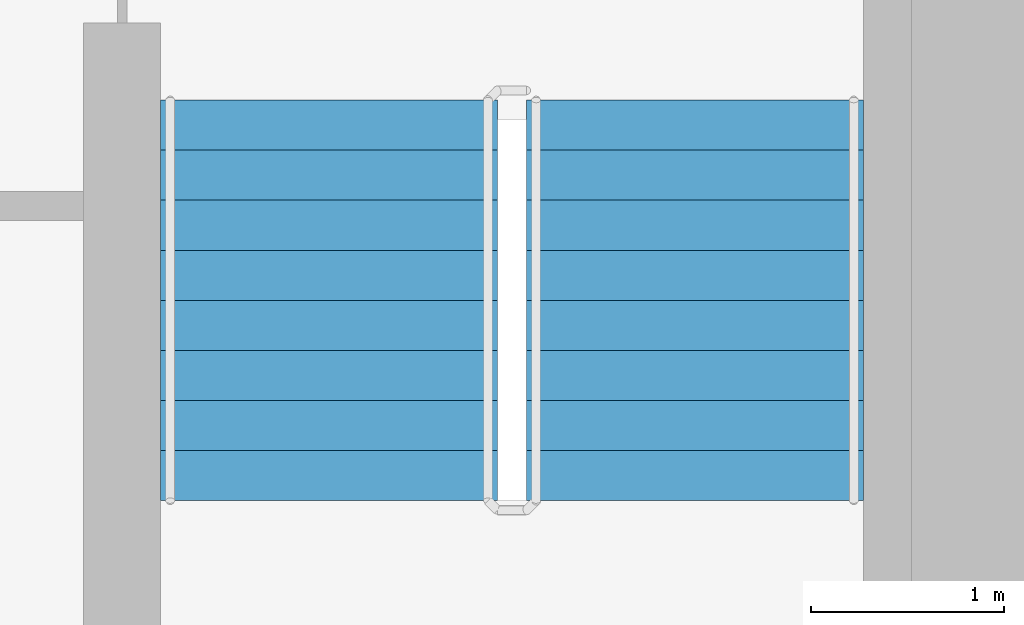
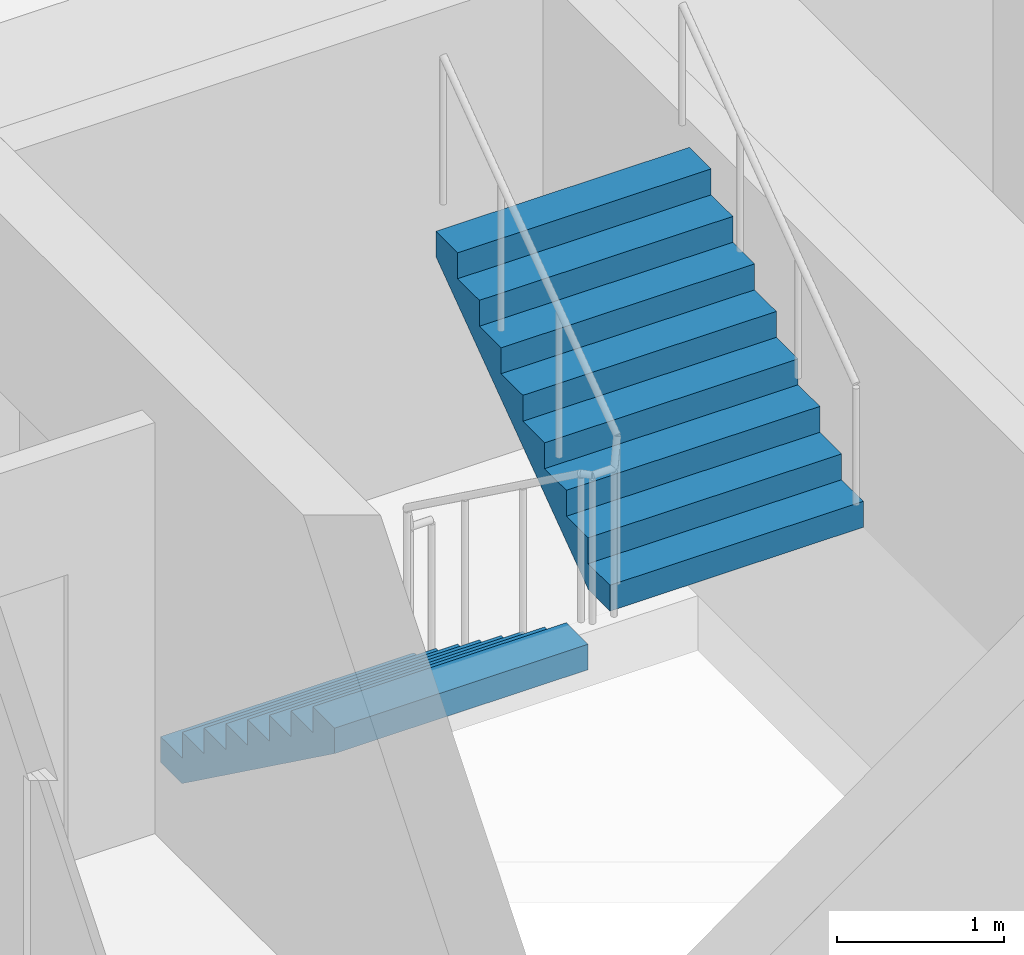
# One storey, part 18 of 21: 2 stair flights, 1 element without a shape of its own.
"""IFC4 building model written with IfcOpenShell, lengths in metres."""

from ifc_helpers import new_model, si_unit, direction, frame, origin, place, context, subcontext, project, spatial, faceted_brep, material, type_object, element, aggregate, save


model = new_model("IFC4")

# Units and contexts
model_context = context("Model", 3, precision=1e-05, world=origin(), true_north=direction((0.0, 1.0)))
body_context = subcontext(model_context, "Body", "Model", "MODEL_VIEW")
ifc_project = project(units=[si_unit("LENGTHUNIT", "METRE"), si_unit("AREAUNIT", "SQUARE_METRE"), si_unit("VOLUMEUNIT", "CUBIC_METRE"), si_unit("PLANEANGLEUNIT", "RADIAN"), si_unit("MASSUNIT", "GRAM", prefix="KILO")], contexts=[model_context])

# Site, building, storey
site_placement = place(None, origin())
site = spatial("IfcSite", under=ifc_project, at=site_placement, CompositionType="ELEMENT")
building_placement = place(site_placement, origin())
building = spatial("IfcBuilding", under=site, at=building_placement, Name="Ipe Terrace Towers", CompositionType="ELEMENT")
storey_placement = place(building_placement, frame((0.0, 0.0, 103.800048828125)))
storey = spatial("IfcBuildingStorey", under=building, at=storey_placement, Name="L28", CompositionType="ELEMENT", Elevation=103.800048828125)

# Stair, stair flights
ifc_material_1 = material(Name="Concrete C30/37", Category="concrete")
stair_type = type_object("IfcStairType", Name="Protected exit stair", PredefinedType="HALF_TURN_STAIR", material=ifc_material_1)
stair_placement = place(storey_placement, origin())
stair = element("IfcStair", 1, at=stair_placement, inside=storey, type_object=stair_type, Name="L28 Exit stair T2-C2", PredefinedType="HALF_TURN_STAIR")
ifc_material_2 = material(Name="Concrete C30/37", Category="concrete")
stair_flight_type = type_object("IfcStairFlightType", Name="Exit stair flight 1750", PredefinedType="STRAIGHT", material=ifc_material_2)
stair_flight_1_placement = place(storey_placement, frame((38.77490234375, -9.699951171875, 0.0), z_axis=(0.0, 0.0, 1.0), x_axis=(0.0, -1.0, 0.0)))
stair_flight_1 = element("IfcStairFlight", 2, at=stair_flight_1_placement, type_object=stair_flight_type, Name="T2-ST2 flight 1", NumberOfRisers=9, NumberOfTreads=8, PredefinedType="STRAIGHT", RiserHeight=0.188888889, TreadLength=0.26, context=body_context, shape_type="Brep", body=[
    faceted_brep([(0.255126953125, -0.875, 0.0), (2.080078125, -0.875, 1.325927734375), (2.080078125, -0.875, 1.51123046875), (1.820068359375, -0.875, 1.51123046875), (1.820068359375, -0.875, 1.322265625), (1.56005859375, -0.875, 1.322265625), (1.56005859375, -0.875, 1.13330078125), (1.300048828125, -0.875, 1.13330078125), (1.300048828125, -0.875, 0.9443359375), (1.0400390625, -0.875, 0.9443359375), (1.0400390625, -0.875, 0.755615234375), (0.780029296875, -0.875, 0.755615234375), (0.780029296875, -0.875, 0.566650390625), (0.52001953125, -0.875, 0.566650390625), (0.52001953125, -0.875, 0.377685546875), (0.260009765625, -0.875, 0.377685546875), (0.260009765625, -0.875, 0.18896484375), (0.0, -0.875, 0.18896484375), (0.0, -0.875, 0.0), (0.0, 0.875, 0.0), (0.0, 0.875, 0.18896484375), (0.260009765625, 0.875, 0.18896484375), (0.260009765625, 0.875, 0.377685546875), (0.52001953125, 0.875, 0.377685546875), (0.52001953125, 0.875, 0.566650390625), (0.780029296875, 0.875, 0.566650390625), (0.780029296875, 0.875, 0.755615234375), (1.0400390625, 0.875, 0.755615234375), (1.0400390625, 0.875, 0.9443359375), (1.300048828125, 0.875, 0.9443359375), (1.300048828125, 0.875, 1.13330078125), (1.56005859375, 0.875, 1.13330078125), (1.56005859375, 0.875, 1.322265625), (1.820068359375, 0.875, 1.322265625), (1.820068359375, 0.875, 1.51123046875), (2.080078125, 0.875, 1.51123046875), (2.080078125, 0.875, 1.325927734375), (0.255126953125, 0.875, 0.0), (0.0, -0.300048828125, 0.18896484375), (0.0, -0.1201171875, 0.18896484375), (0.0, -0.06005859375, 0.18896484375), (0.0, -0.030029296875, 0.18896484375), (0.0, -0.010009765625, 0.18896484375), (0.0, 0.0, 0.18896484375), (0.0, 0.010009765625, 0.18896484375), (0.0, 0.030029296875, 0.18896484375), (0.0, 0.06005859375, 0.18896484375), (0.0, 0.1201171875, 0.18896484375), (0.0, 0.300048828125, 0.18896484375), (0.0, 0.300048828125, 0.0), (0.0, 0.1201171875, 0.0), (0.0, 0.06005859375, 0.0), (0.0, 0.030029296875, 0.0), (0.0, 0.010009765625, 0.0), (0.0, 0.0, 0.0), (0.0, -0.010009765625, 0.0), (0.0, -0.030029296875, 0.0), (0.0, -0.06005859375, 0.0), (0.0, -0.1201171875, 0.0), (0.0, -0.300048828125, 0.0), (0.260009765625, -0.300048828125, 0.18896484375), (0.260009765625, -0.1201171875, 0.18896484375), (0.260009765625, -0.06005859375, 0.18896484375), (0.260009765625, -0.030029296875, 0.18896484375), (0.260009765625, -0.010009765625, 0.18896484375), (0.260009765625, 0.0, 0.18896484375), (0.260009765625, 0.010009765625, 0.18896484375), (0.260009765625, 0.030029296875, 0.18896484375), (0.260009765625, 0.06005859375, 0.18896484375), (0.260009765625, 0.1201171875, 0.18896484375), (0.260009765625, 0.300048828125, 0.18896484375), (0.260009765625, -0.300048828125, 0.377685546875), (0.260009765625, -0.1201171875, 0.377685546875), (0.260009765625, -0.06005859375, 0.377685546875), (0.260009765625, -0.030029296875, 0.377685546875), (0.260009765625, -0.010009765625, 0.377685546875), (0.260009765625, 0.0, 0.377685546875), (0.260009765625, 0.010009765625, 0.377685546875), (0.260009765625, 0.030029296875, 0.377685546875), (0.260009765625, 0.06005859375, 0.377685546875), (0.260009765625, 0.1201171875, 0.377685546875), (0.260009765625, 0.300048828125, 0.377685546875), (0.52001953125, -0.300048828125, 0.377685546875), (0.52001953125, -0.1201171875, 0.377685546875), (0.52001953125, -0.06005859375, 0.377685546875), (0.52001953125, -0.030029296875, 0.377685546875), (0.52001953125, -0.010009765625, 0.377685546875), (0.52001953125, 0.0, 0.377685546875), (0.52001953125, 0.010009765625, 0.377685546875), (0.52001953125, 0.030029296875, 0.377685546875), (0.52001953125, 0.06005859375, 0.377685546875), (0.52001953125, 0.1201171875, 0.377685546875), (0.52001953125, 0.300048828125, 0.377685546875), (0.52001953125, -0.300048828125, 0.566650390625), (0.52001953125, -0.1201171875, 0.566650390625), (0.52001953125, -0.06005859375, 0.566650390625), (0.52001953125, -0.030029296875, 0.566650390625), (0.52001953125, -0.010009765625, 0.566650390625), (0.52001953125, 0.0, 0.566650390625), (0.52001953125, 0.010009765625, 0.566650390625), (0.52001953125, 0.030029296875, 0.566650390625), (0.52001953125, 0.06005859375, 0.566650390625), (0.52001953125, 0.1201171875, 0.566650390625), (0.52001953125, 0.300048828125, 0.566650390625), (0.780029296875, -0.300048828125, 0.566650390625), (0.780029296875, -0.1201171875, 0.566650390625), (0.780029296875, -0.06005859375, 0.566650390625), (0.780029296875, -0.030029296875, 0.566650390625), (0.780029296875, -0.010009765625, 0.566650390625), (0.780029296875, 0.0, 0.566650390625), (0.780029296875, 0.010009765625, 0.566650390625), (0.780029296875, 0.030029296875, 0.566650390625), (0.780029296875, 0.06005859375, 0.566650390625), (0.780029296875, 0.1201171875, 0.566650390625), (0.780029296875, 0.300048828125, 0.566650390625), (0.780029296875, -0.300048828125, 0.755615234375), (0.780029296875, -0.1201171875, 0.755615234375), (0.780029296875, -0.06005859375, 0.755615234375), (0.780029296875, -0.030029296875, 0.755615234375), (0.780029296875, -0.010009765625, 0.755615234375), (0.780029296875, 0.0, 0.755615234375), (0.780029296875, 0.010009765625, 0.755615234375), (0.780029296875, 0.030029296875, 0.755615234375), (0.780029296875, 0.06005859375, 0.755615234375), (0.780029296875, 0.1201171875, 0.755615234375), (0.780029296875, 0.300048828125, 0.755615234375), (1.0400390625, -0.300048828125, 0.755615234375), (1.0400390625, -0.1201171875, 0.755615234375), (1.0400390625, -0.06005859375, 0.755615234375), (1.0400390625, -0.030029296875, 0.755615234375), (1.0400390625, -0.010009765625, 0.755615234375), (1.0400390625, 0.0, 0.755615234375), (1.0400390625, 0.010009765625, 0.755615234375), (1.0400390625, 0.030029296875, 0.755615234375), (1.0400390625, 0.06005859375, 0.755615234375), (1.0400390625, 0.1201171875, 0.755615234375), (1.0400390625, 0.300048828125, 0.755615234375), (1.0400390625, -0.300048828125, 0.9443359375), (1.0400390625, -0.1201171875, 0.9443359375), (1.0400390625, -0.06005859375, 0.9443359375), (1.0400390625, -0.030029296875, 0.9443359375), (1.0400390625, -0.010009765625, 0.9443359375), (1.0400390625, 0.0, 0.9443359375), (1.0400390625, 0.010009765625, 0.9443359375), (1.0400390625, 0.030029296875, 0.9443359375), (1.0400390625, 0.06005859375, 0.9443359375), (1.0400390625, 0.1201171875, 0.9443359375), (1.0400390625, 0.300048828125, 0.9443359375), (1.300048828125, -0.300048828125, 0.9443359375), (1.300048828125, -0.1201171875, 0.9443359375), (1.300048828125, -0.06005859375, 0.9443359375), (1.300048828125, -0.030029296875, 0.9443359375), (1.300048828125, -0.010009765625, 0.9443359375), (1.300048828125, 0.0, 0.9443359375), (1.300048828125, 0.010009765625, 0.9443359375), (1.300048828125, 0.030029296875, 0.9443359375), (1.300048828125, 0.06005859375, 0.9443359375), (1.300048828125, 0.1201171875, 0.9443359375), (1.300048828125, 0.300048828125, 0.9443359375), (1.300048828125, -0.300048828125, 1.13330078125), (1.300048828125, -0.1201171875, 1.13330078125), (1.300048828125, -0.06005859375, 1.13330078125), (1.300048828125, -0.030029296875, 1.13330078125), (1.300048828125, -0.010009765625, 1.13330078125), (1.300048828125, 0.0, 1.13330078125), (1.300048828125, 0.010009765625, 1.13330078125), (1.300048828125, 0.030029296875, 1.13330078125), (1.300048828125, 0.06005859375, 1.13330078125), (1.300048828125, 0.1201171875, 1.13330078125), (1.300048828125, 0.300048828125, 1.13330078125), (1.56005859375, -0.300048828125, 1.13330078125), (1.56005859375, -0.1201171875, 1.13330078125), (1.56005859375, -0.06005859375, 1.13330078125), (1.56005859375, -0.030029296875, 1.13330078125), (1.56005859375, -0.010009765625, 1.13330078125), (1.56005859375, 0.0, 1.13330078125), (1.56005859375, 0.010009765625, 1.13330078125), (1.56005859375, 0.030029296875, 1.13330078125), (1.56005859375, 0.06005859375, 1.13330078125), (1.56005859375, 0.1201171875, 1.13330078125), (1.56005859375, 0.300048828125, 1.13330078125), (1.56005859375, -0.300048828125, 1.322265625), (1.56005859375, -0.1201171875, 1.322265625), (1.56005859375, -0.06005859375, 1.322265625), (1.56005859375, -0.030029296875, 1.322265625), (1.56005859375, -0.010009765625, 1.322265625), (1.56005859375, 0.0, 1.322265625), (1.56005859375, 0.010009765625, 1.322265625), (1.56005859375, 0.030029296875, 1.322265625), (1.56005859375, 0.06005859375, 1.322265625), (1.56005859375, 0.1201171875, 1.322265625), (1.56005859375, 0.300048828125, 1.322265625), (1.820068359375, -0.300048828125, 1.322265625), (1.820068359375, -0.1201171875, 1.322265625), (1.820068359375, -0.06005859375, 1.322265625), (1.820068359375, -0.030029296875, 1.322265625), (1.820068359375, -0.010009765625, 1.322265625), (1.820068359375, 0.0, 1.322265625), (1.820068359375, 0.010009765625, 1.322265625), (1.820068359375, 0.030029296875, 1.322265625), (1.820068359375, 0.06005859375, 1.322265625), (1.820068359375, 0.1201171875, 1.322265625), (1.820068359375, 0.300048828125, 1.322265625), (1.820068359375, -0.300048828125, 1.51123046875), (1.820068359375, -0.1201171875, 1.51123046875), (1.820068359375, -0.06005859375, 1.51123046875), (1.820068359375, -0.030029296875, 1.51123046875), (1.820068359375, -0.010009765625, 1.51123046875), (1.820068359375, 0.0, 1.51123046875), (1.820068359375, 0.010009765625, 1.51123046875), (1.820068359375, 0.030029296875, 1.51123046875), (1.820068359375, 0.06005859375, 1.51123046875), (1.820068359375, 0.1201171875, 1.51123046875), (1.820068359375, 0.300048828125, 1.51123046875), (2.080078125, -0.300048828125, 1.51123046875), (2.080078125, -0.1201171875, 1.51123046875), (2.080078125, -0.06005859375, 1.51123046875), (2.080078125, -0.030029296875, 1.51123046875), (2.080078125, -0.010009765625, 1.51123046875), (2.080078125, 0.0, 1.51123046875), (2.080078125, 0.010009765625, 1.51123046875), (2.080078125, 0.030029296875, 1.51123046875), (2.080078125, 0.06005859375, 1.51123046875), (2.080078125, 0.1201171875, 1.51123046875), (2.080078125, 0.300048828125, 1.51123046875), (2.080078125, -0.300048828125, 1.325927734375), (2.080078125, -0.1201171875, 1.325927734375), (2.080078125, -0.06005859375, 1.325927734375), (2.080078125, -0.030029296875, 1.325927734375), (2.080078125, -0.010009765625, 1.325927734375), (2.080078125, 0.0, 1.325927734375), (2.080078125, 0.010009765625, 1.325927734375), (2.080078125, 0.030029296875, 1.325927734375), (2.080078125, 0.06005859375, 1.325927734375), (2.080078125, 0.1201171875, 1.325927734375), (2.080078125, 0.300048828125, 1.325927734375), (0.255126953125, -0.300048828125, 0.0), (0.255126953125, -0.1201171875, 0.0), (0.255126953125, -0.06005859375, 0.0), (0.255126953125, -0.030029296875, 0.0), (0.255126953125, -0.010009765625, 0.0), (0.255126953125, 0.0, 0.0), (0.255126953125, 0.010009765625, 0.0), (0.255126953125, 0.030029296875, 0.0), (0.255126953125, 0.06005859375, 0.0), (0.255126953125, 0.1201171875, 0.0), (0.255126953125, 0.300048828125, 0.0)], [[[0, 1, 2, 3, 4, 5, 6, 7, 8, 9, 10, 11, 12, 13, 14, 15, 16, 17, 18]], [[19, 20, 21, 22, 23, 24, 25, 26, 27, 28, 29, 30, 31, 32, 33, 34, 35, 36, 37]], [[17, 38, 39, 40, 41, 42, 43, 44, 45, 46, 47, 48, 20, 19, 49, 50, 51, 52, 53, 54, 55, 56, 57, 58, 59, 18]], [[16, 60, 61, 62, 63, 64, 65, 66, 67, 68, 69, 70, 21, 20, 48, 47, 46, 45, 44, 43, 42, 41, 40, 39, 38, 17]], [[15, 71, 72, 73, 74, 75, 76, 77, 78, 79, 80, 81, 22, 21, 70, 69, 68, 67, 66, 65, 64, 63, 62, 61, 60, 16]], [[14, 82, 83, 84, 85, 86, 87, 88, 89, 90, 91, 92, 23, 22, 81, 80, 79, 78, 77, 76, 75, 74, 73, 72, 71, 15]], [[13, 93, 94, 95, 96, 97, 98, 99, 100, 101, 102, 103, 24, 23, 92, 91, 90, 89, 88, 87, 86, 85, 84, 83, 82, 14]], [[12, 104, 105, 106, 107, 108, 109, 110, 111, 112, 113, 114, 25, 24, 103, 102, 101, 100, 99, 98, 97, 96, 95, 94, 93, 13]], [[11, 115, 116, 117, 118, 119, 120, 121, 122, 123, 124, 125, 26, 25, 114, 113, 112, 111, 110, 109, 108, 107, 106, 105, 104, 12]], [[10, 126, 127, 128, 129, 130, 131, 132, 133, 134, 135, 136, 27, 26, 125, 124, 123, 122, 121, 120, 119, 118, 117, 116, 115, 11]], [[9, 137, 138, 139, 140, 141, 142, 143, 144, 145, 146, 147, 28, 27, 136, 135, 134, 133, 132, 131, 130, 129, 128, 127, 126, 10]], [[8, 148, 149, 150, 151, 152, 153, 154, 155, 156, 157, 158, 29, 28, 147, 146, 145, 144, 143, 142, 141, 140, 139, 138, 137, 9]], [[7, 159, 160, 161, 162, 163, 164, 165, 166, 167, 168, 169, 30, 29, 158, 157, 156, 155, 154, 153, 152, 151, 150, 149, 148, 8]], [[6, 170, 171, 172, 173, 174, 175, 176, 177, 178, 179, 180, 31, 30, 169, 168, 167, 166, 165, 164, 163, 162, 161, 160, 159, 7]], [[5, 181, 182, 183, 184, 185, 186, 187, 188, 189, 190, 191, 32, 31, 180, 179, 178, 177, 176, 175, 174, 173, 172, 171, 170, 6]], [[4, 192, 193, 194, 195, 196, 197, 198, 199, 200, 201, 202, 33, 32, 191, 190, 189, 188, 187, 186, 185, 184, 183, 182, 181, 5]], [[3, 203, 204, 205, 206, 207, 208, 209, 210, 211, 212, 213, 34, 33, 202, 201, 200, 199, 198, 197, 196, 195, 194, 193, 192, 4]], [[2, 214, 215, 216, 217, 218, 219, 220, 221, 222, 223, 224, 35, 34, 213, 212, 211, 210, 209, 208, 207, 206, 205, 204, 203, 3]], [[1, 225, 226, 227, 228, 229, 230, 231, 232, 233, 234, 235, 36, 35, 224, 223, 222, 221, 220, 219, 218, 217, 216, 215, 214, 2]], [[0, 236, 237, 238, 239, 240, 241, 242, 243, 244, 245, 246, 37, 36, 235, 234, 233, 232, 231, 230, 229, 228, 227, 226, 225, 1]], [[18, 59, 58, 57, 56, 55, 54, 53, 52, 51, 50, 49, 19, 37, 246, 245, 244, 243, 242, 241, 240, 239, 238, 237, 236, 0]]]),
])
stair_flight_2_placement = place(storey_placement, frame((40.675048828125, -11.780029296875, 1.699951171875), z_axis=(0.0, 0.0, 1.0), x_axis=(0.0, 1.0, 0.0)))
stair_flight_2 = element("IfcStairFlight", 3, at=stair_flight_2_placement, type_object=stair_flight_type, Name="T2-ST2 flight 2", NumberOfRisers=9, NumberOfTreads=8, PredefinedType="STRAIGHT", RiserHeight=0.188888889, TreadLength=0.26, context=body_context, shape_type="Brep", body=[
    faceted_brep([(0.255126953125, -0.875, 0.0), (2.080078125, -0.875, 1.325927734375), (2.080078125, -0.875, 1.51123046875), (1.820068359375, -0.875, 1.51123046875), (1.820068359375, -0.875, 1.322265625), (1.56005859375, -0.875, 1.322265625), (1.56005859375, -0.875, 1.13330078125), (1.300048828125, -0.875, 1.13330078125), (1.300048828125, -0.875, 0.9443359375), (1.0400390625, -0.875, 0.9443359375), (1.0400390625, -0.875, 0.755615234375), (0.780029296875, -0.875, 0.755615234375), (0.780029296875, -0.875, 0.566650390625), (0.52001953125, -0.875, 0.566650390625), (0.52001953125, -0.875, 0.377685546875), (0.260009765625, -0.875, 0.377685546875), (0.260009765625, -0.875, 0.18896484375), (0.0, -0.875, 0.18896484375), (0.0, -0.875, 0.0), (0.0, 0.875, 0.0), (0.0, 0.875, 0.18896484375), (0.260009765625, 0.875, 0.18896484375), (0.260009765625, 0.875, 0.377685546875), (0.52001953125, 0.875, 0.377685546875), (0.52001953125, 0.875, 0.566650390625), (0.780029296875, 0.875, 0.566650390625), (0.780029296875, 0.875, 0.755615234375), (1.0400390625, 0.875, 0.755615234375), (1.0400390625, 0.875, 0.9443359375), (1.300048828125, 0.875, 0.9443359375), (1.300048828125, 0.875, 1.13330078125), (1.56005859375, 0.875, 1.13330078125), (1.56005859375, 0.875, 1.322265625), (1.820068359375, 0.875, 1.322265625), (1.820068359375, 0.875, 1.51123046875), (2.080078125, 0.875, 1.51123046875), (2.080078125, 0.875, 1.325927734375), (0.255126953125, 0.875, 0.0), (0.0, -0.300048828125, 0.18896484375), (0.0, -0.1201171875, 0.18896484375), (0.0, -0.06005859375, 0.18896484375), (0.0, -0.030029296875, 0.18896484375), (0.0, -0.010009765625, 0.18896484375), (0.0, 0.0, 0.18896484375), (0.0, 0.010009765625, 0.18896484375), (0.0, 0.030029296875, 0.18896484375), (0.0, 0.06005859375, 0.18896484375), (0.0, 0.1201171875, 0.18896484375), (0.0, 0.300048828125, 0.18896484375), (0.0, 0.300048828125, 0.0), (0.0, 0.1201171875, 0.0), (0.0, 0.06005859375, 0.0), (0.0, 0.030029296875, 0.0), (0.0, 0.010009765625, 0.0), (0.0, 0.0, 0.0), (0.0, -0.010009765625, 0.0), (0.0, -0.030029296875, 0.0), (0.0, -0.06005859375, 0.0), (0.0, -0.1201171875, 0.0), (0.0, -0.300048828125, 0.0), (0.260009765625, -0.300048828125, 0.18896484375), (0.260009765625, -0.1201171875, 0.18896484375), (0.260009765625, -0.06005859375, 0.18896484375), (0.260009765625, -0.030029296875, 0.18896484375), (0.260009765625, -0.010009765625, 0.18896484375), (0.260009765625, 0.0, 0.18896484375), (0.260009765625, 0.010009765625, 0.18896484375), (0.260009765625, 0.030029296875, 0.18896484375), (0.260009765625, 0.06005859375, 0.18896484375), (0.260009765625, 0.1201171875, 0.18896484375), (0.260009765625, 0.300048828125, 0.18896484375), (0.260009765625, -0.300048828125, 0.377685546875), (0.260009765625, -0.1201171875, 0.377685546875), (0.260009765625, -0.06005859375, 0.377685546875), (0.260009765625, -0.030029296875, 0.377685546875), (0.260009765625, -0.010009765625, 0.377685546875), (0.260009765625, 0.0, 0.377685546875), (0.260009765625, 0.010009765625, 0.377685546875), (0.260009765625, 0.030029296875, 0.377685546875), (0.260009765625, 0.06005859375, 0.377685546875), (0.260009765625, 0.1201171875, 0.377685546875), (0.260009765625, 0.300048828125, 0.377685546875), (0.52001953125, -0.300048828125, 0.377685546875), (0.52001953125, -0.1201171875, 0.377685546875), (0.52001953125, -0.06005859375, 0.377685546875), (0.52001953125, -0.030029296875, 0.377685546875), (0.52001953125, -0.010009765625, 0.377685546875), (0.52001953125, 0.0, 0.377685546875), (0.52001953125, 0.010009765625, 0.377685546875), (0.52001953125, 0.030029296875, 0.377685546875), (0.52001953125, 0.06005859375, 0.377685546875), (0.52001953125, 0.1201171875, 0.377685546875), (0.52001953125, 0.300048828125, 0.377685546875), (0.52001953125, -0.300048828125, 0.566650390625), (0.52001953125, -0.1201171875, 0.566650390625), (0.52001953125, -0.06005859375, 0.566650390625), (0.52001953125, -0.030029296875, 0.566650390625), (0.52001953125, -0.010009765625, 0.566650390625), (0.52001953125, 0.0, 0.566650390625), (0.52001953125, 0.010009765625, 0.566650390625), (0.52001953125, 0.030029296875, 0.566650390625), (0.52001953125, 0.06005859375, 0.566650390625), (0.52001953125, 0.1201171875, 0.566650390625), (0.52001953125, 0.300048828125, 0.566650390625), (0.780029296875, -0.300048828125, 0.566650390625), (0.780029296875, -0.1201171875, 0.566650390625), (0.780029296875, -0.06005859375, 0.566650390625), (0.780029296875, -0.030029296875, 0.566650390625), (0.780029296875, -0.010009765625, 0.566650390625), (0.780029296875, 0.0, 0.566650390625), (0.780029296875, 0.010009765625, 0.566650390625), (0.780029296875, 0.030029296875, 0.566650390625), (0.780029296875, 0.06005859375, 0.566650390625), (0.780029296875, 0.1201171875, 0.566650390625), (0.780029296875, 0.300048828125, 0.566650390625), (0.780029296875, -0.300048828125, 0.755615234375), (0.780029296875, -0.1201171875, 0.755615234375), (0.780029296875, -0.06005859375, 0.755615234375), (0.780029296875, -0.030029296875, 0.755615234375), (0.780029296875, -0.010009765625, 0.755615234375), (0.780029296875, 0.0, 0.755615234375), (0.780029296875, 0.010009765625, 0.755615234375), (0.780029296875, 0.030029296875, 0.755615234375), (0.780029296875, 0.06005859375, 0.755615234375), (0.780029296875, 0.1201171875, 0.755615234375), (0.780029296875, 0.300048828125, 0.755615234375), (1.0400390625, -0.300048828125, 0.755615234375), (1.0400390625, -0.1201171875, 0.755615234375), (1.0400390625, -0.06005859375, 0.755615234375), (1.0400390625, -0.030029296875, 0.755615234375), (1.0400390625, -0.010009765625, 0.755615234375), (1.0400390625, 0.0, 0.755615234375), (1.0400390625, 0.010009765625, 0.755615234375), (1.0400390625, 0.030029296875, 0.755615234375), (1.0400390625, 0.06005859375, 0.755615234375), (1.0400390625, 0.1201171875, 0.755615234375), (1.0400390625, 0.300048828125, 0.755615234375), (1.0400390625, -0.300048828125, 0.9443359375), (1.0400390625, -0.1201171875, 0.9443359375), (1.0400390625, -0.06005859375, 0.9443359375), (1.0400390625, -0.030029296875, 0.9443359375), (1.0400390625, -0.010009765625, 0.9443359375), (1.0400390625, 0.0, 0.9443359375), (1.0400390625, 0.010009765625, 0.9443359375), (1.0400390625, 0.030029296875, 0.9443359375), (1.0400390625, 0.06005859375, 0.9443359375), (1.0400390625, 0.1201171875, 0.9443359375), (1.0400390625, 0.300048828125, 0.9443359375), (1.300048828125, -0.300048828125, 0.9443359375), (1.300048828125, -0.1201171875, 0.9443359375), (1.300048828125, -0.06005859375, 0.9443359375), (1.300048828125, -0.030029296875, 0.9443359375), (1.300048828125, -0.010009765625, 0.9443359375), (1.300048828125, 0.0, 0.9443359375), (1.300048828125, 0.010009765625, 0.9443359375), (1.300048828125, 0.030029296875, 0.9443359375), (1.300048828125, 0.06005859375, 0.9443359375), (1.300048828125, 0.1201171875, 0.9443359375), (1.300048828125, 0.300048828125, 0.9443359375), (1.300048828125, -0.300048828125, 1.13330078125), (1.300048828125, -0.1201171875, 1.13330078125), (1.300048828125, -0.06005859375, 1.13330078125), (1.300048828125, -0.030029296875, 1.13330078125), (1.300048828125, -0.010009765625, 1.13330078125), (1.300048828125, 0.0, 1.13330078125), (1.300048828125, 0.010009765625, 1.13330078125), (1.300048828125, 0.030029296875, 1.13330078125), (1.300048828125, 0.06005859375, 1.13330078125), (1.300048828125, 0.1201171875, 1.13330078125), (1.300048828125, 0.300048828125, 1.13330078125), (1.56005859375, -0.300048828125, 1.13330078125), (1.56005859375, -0.1201171875, 1.13330078125), (1.56005859375, -0.06005859375, 1.13330078125), (1.56005859375, -0.030029296875, 1.13330078125), (1.56005859375, -0.010009765625, 1.13330078125), (1.56005859375, 0.0, 1.13330078125), (1.56005859375, 0.010009765625, 1.13330078125), (1.56005859375, 0.030029296875, 1.13330078125), (1.56005859375, 0.06005859375, 1.13330078125), (1.56005859375, 0.1201171875, 1.13330078125), (1.56005859375, 0.300048828125, 1.13330078125), (1.56005859375, -0.300048828125, 1.322265625), (1.56005859375, -0.1201171875, 1.322265625), (1.56005859375, -0.06005859375, 1.322265625), (1.56005859375, -0.030029296875, 1.322265625), (1.56005859375, -0.010009765625, 1.322265625), (1.56005859375, 0.0, 1.322265625), (1.56005859375, 0.010009765625, 1.322265625), (1.56005859375, 0.030029296875, 1.322265625), (1.56005859375, 0.06005859375, 1.322265625), (1.56005859375, 0.1201171875, 1.322265625), (1.56005859375, 0.300048828125, 1.322265625), (1.820068359375, -0.300048828125, 1.322265625), (1.820068359375, -0.1201171875, 1.322265625), (1.820068359375, -0.06005859375, 1.322265625), (1.820068359375, -0.030029296875, 1.322265625), (1.820068359375, -0.010009765625, 1.322265625), (1.820068359375, 0.0, 1.322265625), (1.820068359375, 0.010009765625, 1.322265625), (1.820068359375, 0.030029296875, 1.322265625), (1.820068359375, 0.06005859375, 1.322265625), (1.820068359375, 0.1201171875, 1.322265625), (1.820068359375, 0.300048828125, 1.322265625), (1.820068359375, -0.300048828125, 1.51123046875), (1.820068359375, -0.1201171875, 1.51123046875), (1.820068359375, -0.06005859375, 1.51123046875), (1.820068359375, -0.030029296875, 1.51123046875), (1.820068359375, -0.010009765625, 1.51123046875), (1.820068359375, 0.0, 1.51123046875), (1.820068359375, 0.010009765625, 1.51123046875), (1.820068359375, 0.030029296875, 1.51123046875), (1.820068359375, 0.06005859375, 1.51123046875), (1.820068359375, 0.1201171875, 1.51123046875), (1.820068359375, 0.300048828125, 1.51123046875), (2.080078125, -0.300048828125, 1.51123046875), (2.080078125, -0.1201171875, 1.51123046875), (2.080078125, -0.06005859375, 1.51123046875), (2.080078125, -0.030029296875, 1.51123046875), (2.080078125, -0.010009765625, 1.51123046875), (2.080078125, 0.0, 1.51123046875), (2.080078125, 0.010009765625, 1.51123046875), (2.080078125, 0.030029296875, 1.51123046875), (2.080078125, 0.06005859375, 1.51123046875), (2.080078125, 0.1201171875, 1.51123046875), (2.080078125, 0.300048828125, 1.51123046875), (2.080078125, -0.300048828125, 1.325927734375), (2.080078125, -0.1201171875, 1.325927734375), (2.080078125, -0.06005859375, 1.325927734375), (2.080078125, -0.030029296875, 1.325927734375), (2.080078125, -0.010009765625, 1.325927734375), (2.080078125, 0.0, 1.325927734375), (2.080078125, 0.010009765625, 1.325927734375), (2.080078125, 0.030029296875, 1.325927734375), (2.080078125, 0.06005859375, 1.325927734375), (2.080078125, 0.1201171875, 1.325927734375), (2.080078125, 0.300048828125, 1.325927734375), (0.255126953125, -0.300048828125, 0.0), (0.255126953125, -0.1201171875, 0.0), (0.255126953125, -0.06005859375, 0.0), (0.255126953125, -0.030029296875, 0.0), (0.255126953125, -0.010009765625, 0.0), (0.255126953125, 0.0, 0.0), (0.255126953125, 0.010009765625, 0.0), (0.255126953125, 0.030029296875, 0.0), (0.255126953125, 0.06005859375, 0.0), (0.255126953125, 0.1201171875, 0.0), (0.255126953125, 0.300048828125, 0.0)], [[[0, 1, 2, 3, 4, 5, 6, 7, 8, 9, 10, 11, 12, 13, 14, 15, 16, 17, 18]], [[19, 20, 21, 22, 23, 24, 25, 26, 27, 28, 29, 30, 31, 32, 33, 34, 35, 36, 37]], [[17, 38, 39, 40, 41, 42, 43, 44, 45, 46, 47, 48, 20, 19, 49, 50, 51, 52, 53, 54, 55, 56, 57, 58, 59, 18]], [[16, 60, 61, 62, 63, 64, 65, 66, 67, 68, 69, 70, 21, 20, 48, 47, 46, 45, 44, 43, 42, 41, 40, 39, 38, 17]], [[15, 71, 72, 73, 74, 75, 76, 77, 78, 79, 80, 81, 22, 21, 70, 69, 68, 67, 66, 65, 64, 63, 62, 61, 60, 16]], [[14, 82, 83, 84, 85, 86, 87, 88, 89, 90, 91, 92, 23, 22, 81, 80, 79, 78, 77, 76, 75, 74, 73, 72, 71, 15]], [[13, 93, 94, 95, 96, 97, 98, 99, 100, 101, 102, 103, 24, 23, 92, 91, 90, 89, 88, 87, 86, 85, 84, 83, 82, 14]], [[12, 104, 105, 106, 107, 108, 109, 110, 111, 112, 113, 114, 25, 24, 103, 102, 101, 100, 99, 98, 97, 96, 95, 94, 93, 13]], [[11, 115, 116, 117, 118, 119, 120, 121, 122, 123, 124, 125, 26, 25, 114, 113, 112, 111, 110, 109, 108, 107, 106, 105, 104, 12]], [[10, 126, 127, 128, 129, 130, 131, 132, 133, 134, 135, 136, 27, 26, 125, 124, 123, 122, 121, 120, 119, 118, 117, 116, 115, 11]], [[9, 137, 138, 139, 140, 141, 142, 143, 144, 145, 146, 147, 28, 27, 136, 135, 134, 133, 132, 131, 130, 129, 128, 127, 126, 10]], [[8, 148, 149, 150, 151, 152, 153, 154, 155, 156, 157, 158, 29, 28, 147, 146, 145, 144, 143, 142, 141, 140, 139, 138, 137, 9]], [[7, 159, 160, 161, 162, 163, 164, 165, 166, 167, 168, 169, 30, 29, 158, 157, 156, 155, 154, 153, 152, 151, 150, 149, 148, 8]], [[6, 170, 171, 172, 173, 174, 175, 176, 177, 178, 179, 180, 31, 30, 169, 168, 167, 166, 165, 164, 163, 162, 161, 160, 159, 7]], [[5, 181, 182, 183, 184, 185, 186, 187, 188, 189, 190, 191, 32, 31, 180, 179, 178, 177, 176, 175, 174, 173, 172, 171, 170, 6]], [[4, 192, 193, 194, 195, 196, 197, 198, 199, 200, 201, 202, 33, 32, 191, 190, 189, 188, 187, 186, 185, 184, 183, 182, 181, 5]], [[3, 203, 204, 205, 206, 207, 208, 209, 210, 211, 212, 213, 34, 33, 202, 201, 200, 199, 198, 197, 196, 195, 194, 193, 192, 4]], [[2, 214, 215, 216, 217, 218, 219, 220, 221, 222, 223, 224, 35, 34, 213, 212, 211, 210, 209, 208, 207, 206, 205, 204, 203, 3]], [[1, 225, 226, 227, 228, 229, 230, 231, 232, 233, 234, 235, 36, 35, 224, 223, 222, 221, 220, 219, 218, 217, 216, 215, 214, 2]], [[0, 236, 237, 238, 239, 240, 241, 242, 243, 244, 245, 246, 37, 36, 235, 234, 233, 232, 231, 230, 229, 228, 227, 226, 225, 1]], [[18, 59, 58, 57, 56, 55, 54, 53, 52, 51, 50, 49, 19, 37, 246, 245, 244, 243, 242, 241, 240, 239, 238, 237, 236, 0]]]),
])
aggregate(stair, [stair_flight_1, stair_flight_2])

save(model, "model.ifc")
